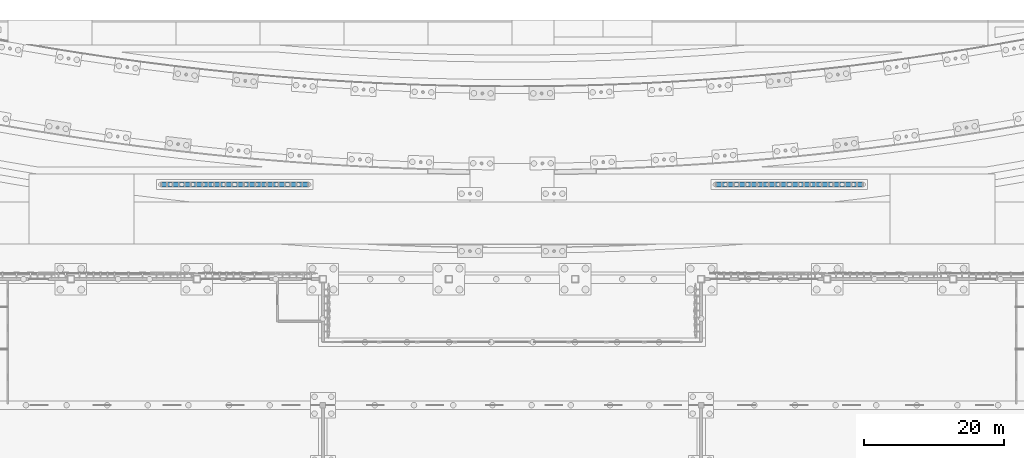
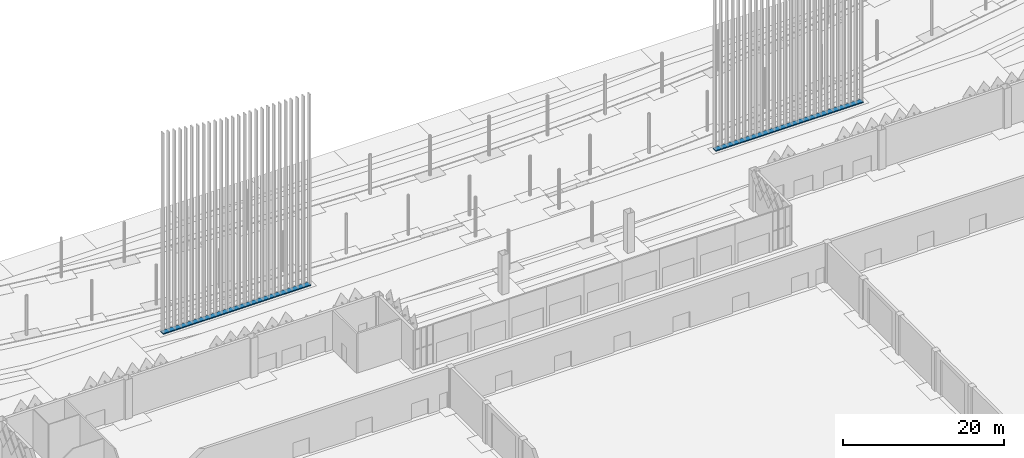
# One storey, part 114 of 198: 2 discrete accessories.
"""IFC4 building model written with IfcOpenShell, lengths in metres."""

from ifc_helpers import new_model, si_unit, direction, frame, origin, origin_2d, place, context, subcontext, project, spatial, rectangle, extrude, material, layer, layer_set, type_object, element, save


model = new_model("IFC4")

# Units and contexts
model_context = context("Model", 3, precision=1e-05, world=origin(), true_north=direction((0.0, 1.0)))
body_context = subcontext(model_context, "Body", "Model", "MODEL_VIEW")
ifc_project = project(units=[si_unit("LENGTHUNIT", "METRE"), si_unit("AREAUNIT", "SQUARE_METRE"), si_unit("VOLUMEUNIT", "CUBIC_METRE"), si_unit("PLANEANGLEUNIT", "RADIAN"), si_unit("MASSUNIT", "GRAM", prefix="KILO")], contexts=[model_context])

# Site, building, storey
site_placement = place(None, origin())
site = spatial("IfcSite", under=ifc_project, at=site_placement, CompositionType="ELEMENT")
building_placement = place(site_placement, origin())
building = spatial("IfcBuilding", under=site, at=building_placement, Name="Opaline Strait Convention Centre", CompositionType="ELEMENT")
storey_placement = place(building_placement, origin())
storey = spatial("IfcBuildingStorey", under=building, at=storey_placement, Name="L00", CompositionType="ELEMENT", Elevation=0.0)

# Discrete accessories
ifc_material = material(Name="Steel Q355B", Category="steel")
ifc_layer = layer(ifc_material, 0.14990234375)
ifc_layer_set = layer_set([ifc_layer], Name="Steel Q355B")
discrete_accessory_type = type_object("IfcDiscreteAccessoryType", Name="Blade base track plate 700x150", PredefinedType="ANCHORPLATE", material=ifc_layer_set)
for number, where, z_axis, x_axis, name in (
    (1, (140.39990234375, 166.5, 0.0), (0.0, 0.0, 1.0), (1.0, 0.0, 0.0), "Blade base track W"),
    (2, (219.60009765625, 166.5, 0.0), (0.0, 0.0, 1.0), (1.0, 0.0, 0.0), "Blade base track E"),
):
    element("IfcDiscreteAccessory", number, at=place(storey_placement, frame(where, z_axis=z_axis, x_axis=x_axis)), inside=storey, type_object=discrete_accessory_type, Name=name, PredefinedType="ANCHORPLATE", context=body_context, shape_type="SweptSolid", body=[
        extrude(rectangle(XDim=21.159912109375, YDim=0.699951171875, at=origin_2d()), origin(), (0.0, 0.0, 1.0), 0.14990234375),
    ])

save(model, "model.ifc")
